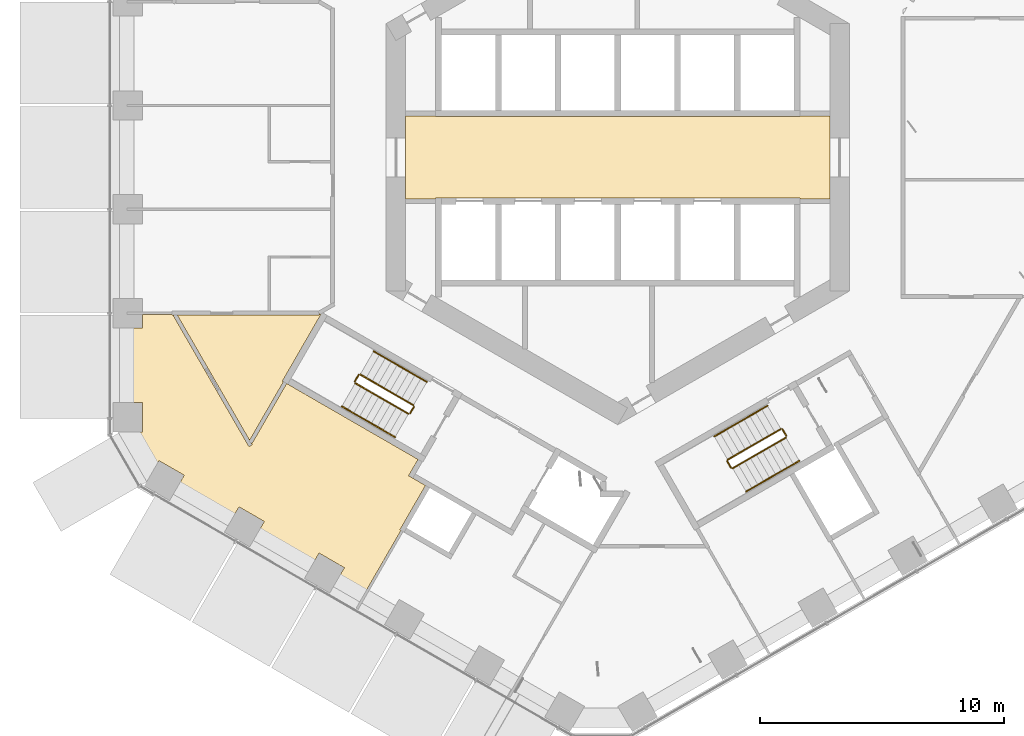
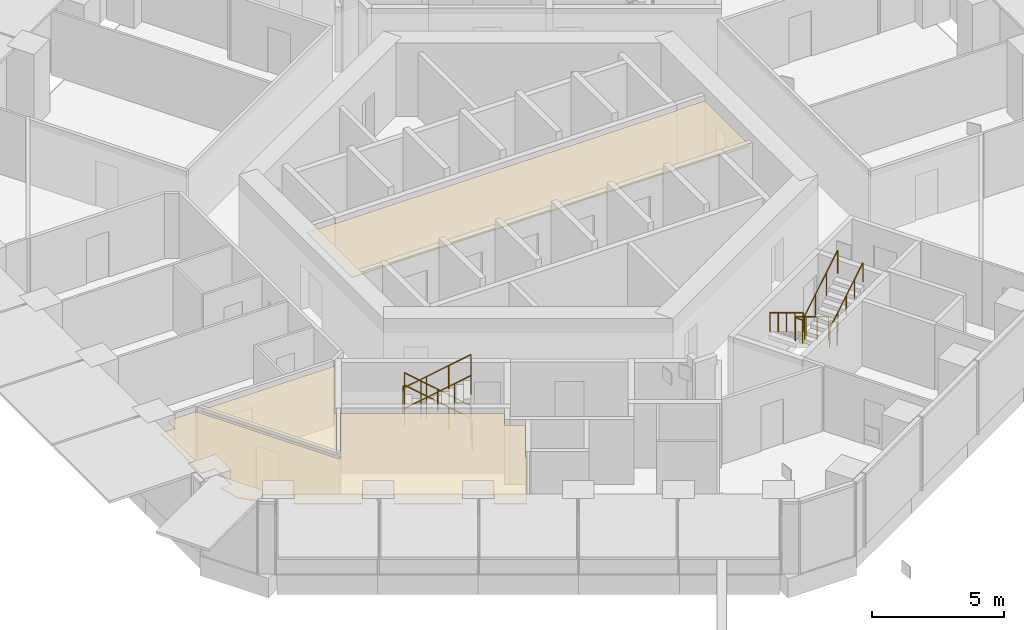
# One storey, part 20 of 22: 16 railings, 3 coverings.
"""IFC4 building model written with IfcOpenShell, lengths in metres."""

from ifc_helpers import new_model, si_unit, direction, frame, origin, origin_2d, place, context, subcontext, project, spatial, polyline, circle, outline, extrude, material, layer, layer_set, type_object, element, save


model = new_model("IFC4")

# Units and contexts
model_context = context("Model", 3, precision=1e-05, world=origin(), true_north=direction((0.0, 1.0)))
body_context = subcontext(model_context, "Body", "Model", "MODEL_VIEW")
ifc_project = project(units=[si_unit("LENGTHUNIT", "METRE"), si_unit("AREAUNIT", "SQUARE_METRE"), si_unit("VOLUMEUNIT", "CUBIC_METRE"), si_unit("PLANEANGLEUNIT", "RADIAN"), si_unit("MASSUNIT", "GRAM", prefix="KILO")], contexts=[model_context])

# Site, building, storey
site_placement = place(None, origin())
site = spatial("IfcSite", under=ifc_project, at=site_placement, CompositionType="ELEMENT")
building_placement = place(site_placement, origin())
building = spatial("IfcBuilding", under=site, at=building_placement, Name="Ayvan Gate Tower", CompositionType="ELEMENT")
storey_placement = place(building_placement, frame((0.0, 0.0, 62.89990234375)))
storey = spatial("IfcBuildingStorey", under=building, at=storey_placement, Name="L16", CompositionType="ELEMENT", Elevation=62.89990234375)

# Coverings
ifc_material_1 = material(Name="Plasterboard suspended ceiling")
ifc_layer = layer(ifc_material_1, 0.050048828125)
ifc_layer_set = layer_set([ifc_layer], Name="Plasterboard suspended ceiling")
covering_type = type_object("IfcCoveringType", Name="CT-SUSP-50", PredefinedType="CEILING", material=ifc_layer_set)
covering_1_placement = place(storey_placement, frame((0.0, 0.0, 2.7001953125)))
element("IfcCovering", 1, at=covering_1_placement, inside=storey, type_object=covering_type, Name="Ceiling Lift Lobby L16", PredefinedType="CEILING", context=body_context, shape_type="SweptSolid", body=[
    extrude(outline(polyline([(7.47509765625, -1.675048828125), (-7.47509765625, -1.675048828125), (-7.47509765625, -1.699951171875), (-8.699951171875, -1.699951171875), (-8.699951171875, 1.699951171875), (-7.47509765625, 1.699951171875), (-7.47509765625, 1.675048828125), (7.47509765625, 1.675048828125), (7.47509765625, 1.699951171875), (8.699951171875, 1.699951171875), (8.699951171875, -1.699951171875), (7.47509765625, -1.699951171875), (7.47509765625, -1.675048828125)])), origin(), (0.0, 0.0, 1.0), 0.0498046875),
])
covering_2_placement = place(storey_placement, frame((0.0, 0.0, 2.7001953125)))
element("IfcCovering", 2, at=covering_2_placement, inside=storey, type_object=covering_type, Name="Ceiling Ring Corridor L16", PredefinedType="CEILING", context=body_context, shape_type="SweptSolid", body=[
    extrude(outline(polyline([(-15.102783203125, -11.60888671875), (-18.07470703125, -6.4619140625), (-12.2587890625, -6.4619140625), (-12.2587890625, -6.386962890625), (-12.222412109375, -6.450439453125), (-12.162353515625, -6.415771484375), (-13.756103515625, -9.17626953125), (-13.712890625, -9.201416015625), (-15.102783203125, -11.60888671875)])), origin(), (0.0, 0.0, 1.0), 0.0498046875),
])
covering_3_placement = place(storey_placement, frame((0.0, 0.0, 2.7001953125)))
element("IfcCovering", 3, at=covering_3_placement, inside=storey, type_object=covering_type, Name="Ceiling Gym L16", PredefinedType="CEILING", context=body_context, shape_type="SweptSolid", body=[
    extrude(outline(polyline([(-19.502197265625, -11.261962890625), (-19.502197265625, -10.06201171875), (-20.1318359375, -10.06201171875), (-20.1318359375, -6.997314453125), (-19.502197265625, -6.997314453125), (-19.502197265625, -6.43701171875), (-18.279541015625, -6.43701171875), (-18.279541015625, -6.4619140625), (-18.184326171875, -6.4619140625), (-18.23193359375, -6.489501953125), (-15.13037109375, -11.861328125), (-15.00048828125, -11.786376953125), (-15.048095703125, -11.7041015625), (-15.00048828125, -11.7314453125), (-13.5830078125, -9.2763671875), (-13.556884765625, -9.291259765625), (-8.19189453125, -12.388916015625), (-8.579345703125, -13.06005859375), (-8.423583984375, -13.14990234375), (-7.88671875, -13.4599609375), (-8.9365234375, -15.278564453125), (-8.893310546875, -15.3037109375), (-10.435546875, -17.97509765625), (-11.5146484375, -17.35205078125), (-11.214599609375, -16.83251953125), (-12.25390625, -16.232421875), (-12.553955078125, -16.751953125), (-14.798583984375, -15.4560546875), (-14.49853515625, -14.936279296875), (-15.537841796875, -14.33642578125), (-15.837890625, -14.85595703125), (-16.62744140625, -14.400146484375), (-18.08251953125, -13.56005859375), (-17.782470703125, -13.040283203125), (-18.82177734375, -12.4404296875), (-19.0458984375, -12.828857421875), (-19.72998046875, -12.14501953125), (-19.96630859375, -11.261962890625), (-19.502197265625, -11.261962890625)])), origin(), (0.0, 0.0, 1.0), 0.0498046875),
])

# Railings
ifc_material_2 = material(Name="Stainless steel balustrade", Category="steel")
railing_type_1 = type_object("IfcRailingType", Name="RL-GUARD-1100", PredefinedType="GUARDRAIL", material=ifc_material_2)
railing_1_placement = place(storey_placement, frame((-8.381103515625, -10.16650390625, 0.170166015625)))
element("IfcRailing", 4, at=railing_1_placement, inside=storey, type_object=railing_type_1, Name="L16 STS2 stair guard 1", PredefinedType="GUARDRAIL", context=body_context, shape_type="SweptSolid", body=[
    extrude(circle(Radius=0.02392578125, at=origin_2d()), frame((0.0, 0.0, 1.076171875), z_axis=(-0.740261155115, 0.427395438142, 0.518986090067), x_axis=(-0.500004791531, -0.866022637375, 0.0)), (0.0, 0.0, 1.0), 2.947998046875),
    extrude(circle(Radius=0.02099609375, at=origin_2d()), origin(), (0.0, 0.0, 1.0), 1.052001953125),
    extrude(circle(Radius=0.02099609375, at=origin_2d()), frame((-0.7275390625, 0.419921875, 0.510009765625)), (0.0, 0.0, 1.0), 1.052001953125),
    extrude(circle(Radius=0.02099609375, at=origin_2d()), frame((-1.454833984375, 0.840087890625, 1.02001953125)), (0.0, 0.0, 1.0), 1.052001953125),
    extrude(circle(Radius=0.02099609375, at=origin_2d()), frame((-2.182373046875, 1.260009765625, 1.530029296875)), (0.0, 0.0, 1.0), 1.052001953125),
])
railing_2_placement = place(storey_placement, frame((-10.6318359375, -8.9248046875, 1.7001953125)))
element("IfcRailing", 5, at=railing_2_placement, inside=storey, type_object=railing_type_1, Name="L16 STS2 stair guard 2", PredefinedType="GUARDRAIL", context=body_context, shape_type="SweptSolid", body=[
    extrude(circle(Radius=0.02392578125, at=origin_2d()), frame((0.0, 0.0, 1.076171875), z_axis=(-0.499949632511, -0.866054481515, 0.0), x_axis=(0.866054481515, -0.499949632511, 0.0)), (0.0, 0.0, 1.0), 0.31005859375),
    extrude(circle(Radius=0.02099609375, at=origin_2d()), origin(), (0.0, 0.0, 1.0), 1.052001953125),
    extrude(circle(Radius=0.02099609375, at=origin_2d()), frame((-0.155029296875, -0.2685546875, 0.0)), (0.0, 0.0, 1.0), 1.052001953125),
])
railing_3_placement = place(storey_placement, frame((-10.7685546875, -9.261474609375, 1.8701171875)))
element("IfcRailing", 6, at=railing_3_placement, inside=storey, type_object=railing_type_1, Name="L16 STS2 stair guard 3", PredefinedType="GUARDRAIL", context=body_context, shape_type="SweptSolid", body=[
    extrude(circle(Radius=0.02392578125, at=origin_2d()), frame((0.0, 0.0, 1.076171875), z_axis=(0.740261155115, -0.427395438142, 0.518986090067), x_axis=(0.500004791531, 0.866022637375, 0.0)), (0.0, 0.0, 1.0), 2.947998046875),
    extrude(circle(Radius=0.02099609375, at=origin_2d()), origin(), (0.0, 0.0, 1.0), 1.052001953125),
    extrude(circle(Radius=0.02099609375, at=origin_2d()), frame((0.7275390625, -0.419921875, 0.510009765625)), (0.0, 0.0, 1.0), 1.052001953125),
    extrude(circle(Radius=0.02099609375, at=origin_2d()), frame((1.454833984375, -0.840087890625, 1.02001953125)), (0.0, 0.0, 1.0), 1.052001953125),
    extrude(circle(Radius=0.02099609375, at=origin_2d()), frame((2.182373046875, -1.260009765625, 1.530029296875)), (0.0, 0.0, 1.0), 1.052001953125),
])
railing_4_placement = place(storey_placement, frame((-8.36279296875, -10.23486328125, 0.0)))
element("IfcRailing", 7, at=railing_4_placement, inside=storey, type_object=railing_type_1, Name="L16 STS2 stair guard 4", PredefinedType="GUARDRAIL", context=body_context, shape_type="SweptSolid", body=[
    extrude(circle(Radius=0.02392578125, at=origin_2d()), frame((0.0, 0.0, 1.076171875), z_axis=(-0.500290723946, -0.86585748916, 0.0), x_axis=(0.86585748916, -0.500290723946, 0.0)), (0.0, 0.0, 1.0), 0.309814453125),
    extrude(circle(Radius=0.02099609375, at=origin_2d()), origin(), (0.0, 0.0, 1.0), 1.052001953125),
    extrude(circle(Radius=0.02099609375, at=origin_2d()), frame((-0.155029296875, -0.268310546875, 0.0)), (0.0, 0.0, 1.0), 1.052001953125),
])
railing_5_placement = place(storey_placement, frame((6.6923828125, -11.1416015625, 0.170166015625)))
element("IfcRailing", 8, at=railing_5_placement, inside=storey, type_object=railing_type_1, Name="L16 STS3 stair guard 1", PredefinedType="GUARDRAIL", context=body_context, shape_type="SweptSolid", body=[
    extrude(circle(Radius=0.02392578125, at=origin_2d()), frame((0.0, 0.0, 1.076171875), z_axis=(-0.740261155115, -0.427395438142, 0.518986090067), x_axis=(0.500004791531, -0.866022637375, 0.0)), (0.0, 0.0, 1.0), 2.947998046875),
    extrude(circle(Radius=0.02099609375, at=origin_2d()), origin(), (0.0, 0.0, 1.0), 1.052001953125),
    extrude(circle(Radius=0.02099609375, at=origin_2d()), frame((-0.7275390625, -0.419921875, 0.510009765625)), (0.0, 0.0, 1.0), 1.052001953125),
    extrude(circle(Radius=0.02099609375, at=origin_2d()), frame((-1.454833984375, -0.840087890625, 1.02001953125)), (0.0, 0.0, 1.0), 1.052001953125),
    extrude(circle(Radius=0.02099609375, at=origin_2d()), frame((-2.182373046875, -1.260009765625, 1.530029296875)), (0.0, 0.0, 1.0), 1.052001953125),
])
railing_6_placement = place(storey_placement, frame((4.49169921875, -12.4697265625, 1.7001953125)))
element("IfcRailing", 9, at=railing_6_placement, inside=storey, type_object=railing_type_1, Name="L16 STS3 stair guard 2", PredefinedType="GUARDRAIL", context=body_context, shape_type="SweptSolid", body=[
    extrude(circle(Radius=0.02392578125, at=origin_2d()), frame((0.0, 0.0, 1.076171875), z_axis=(0.499949632511, -0.866054481515, 0.0), x_axis=(0.866054481515, 0.499949632511, 0.0)), (0.0, 0.0, 1.0), 0.31005859375),
    extrude(circle(Radius=0.02099609375, at=origin_2d()), origin(), (0.0, 0.0, 1.0), 1.052001953125),
    extrude(circle(Radius=0.02099609375, at=origin_2d()), frame((0.155029296875, -0.2685546875, 0.0)), (0.0, 0.0, 1.0), 1.052001953125),
])
railing_7_placement = place(storey_placement, frame((4.715087890625, -12.756591796875, 1.8701171875)))
element("IfcRailing", 10, at=railing_7_placement, inside=storey, type_object=railing_type_1, Name="L16 STS3 stair guard 3", PredefinedType="GUARDRAIL", context=body_context, shape_type="SweptSolid", body=[
    extrude(circle(Radius=0.02392578125, at=origin_2d()), frame((0.0, 0.0, 1.076171875), z_axis=(0.740261155115, 0.427395438142, 0.518986090067), x_axis=(-0.500004791531, 0.866022637375, 0.0)), (0.0, 0.0, 1.0), 2.947998046875),
    extrude(circle(Radius=0.02099609375, at=origin_2d()), origin(), (0.0, 0.0, 1.0), 1.052001953125),
    extrude(circle(Radius=0.02099609375, at=origin_2d()), frame((0.7275390625, 0.419921875, 0.510009765625)), (0.0, 0.0, 1.0), 1.052001953125),
    extrude(circle(Radius=0.02099609375, at=origin_2d()), frame((1.454833984375, 0.840087890625, 1.02001953125)), (0.0, 0.0, 1.0), 1.052001953125),
    extrude(circle(Radius=0.02099609375, at=origin_2d()), frame((2.182373046875, 1.260009765625, 1.530029296875)), (0.0, 0.0, 1.0), 1.052001953125),
])
railing_8_placement = place(storey_placement, frame((6.7607421875, -11.159912109375, 0.0)))
element("IfcRailing", 11, at=railing_8_placement, inside=storey, type_object=railing_type_1, Name="L16 STS3 stair guard 4", PredefinedType="GUARDRAIL", context=body_context, shape_type="SweptSolid", body=[
    extrude(circle(Radius=0.02392578125, at=origin_2d()), frame((0.0, 0.0, 1.076171875), z_axis=(0.500290723946, -0.86585748916, 0.0), x_axis=(0.86585748916, 0.500290723946, 0.0)), (0.0, 0.0, 1.0), 0.309814453125),
    extrude(circle(Radius=0.02099609375, at=origin_2d()), origin(), (0.0, 0.0, 1.0), 1.052001953125),
    extrude(circle(Radius=0.02099609375, at=origin_2d()), frame((0.155029296875, -0.268310546875, 0.0)), (0.0, 0.0, 1.0), 1.052001953125),
])
railing_type_2 = type_object("IfcRailingType", Name="RL-HANDRAIL-900", PredefinedType="HANDRAIL", material=ifc_material_2)
railing_9_placement = place(storey_placement, frame((-7.8310546875, -9.2138671875, 0.170166015625)))
element("IfcRailing", 12, at=railing_9_placement, inside=storey, type_object=railing_type_2, Name="L16 STS2 stair handrail 1", PredefinedType="HANDRAIL", context=body_context, shape_type="SweptSolid", body=[
    extrude(circle(Radius=0.02392578125, at=origin_2d()), frame((0.0, 0.0, 0.8759765625), z_axis=(-0.740356597536, 0.427319915356, 0.518912129772), x_axis=(-0.499890179513, -0.866088799389, 0.0)), (0.0, 0.0, 1.0), 1.47412109375),
    extrude(circle(Radius=0.02099609375, at=origin_2d()), origin(), (0.0, 0.0, 1.0), 0.851806640625),
    extrude(circle(Radius=0.02099609375, at=origin_2d()), frame((-0.545654296875, 0.31494140625, 0.38232421875)), (0.0, 0.0, 1.0), 0.851806640625),
    extrude(circle(Radius=0.02099609375, at=origin_2d()), frame((-1.09130859375, 0.6298828125, 0.764892578125)), (0.0, 0.0, 1.0), 0.851806640625),
])
railing_10_placement = place(storey_placement, frame((-8.92236328125, -8.583984375, 0.93505859375)))
element("IfcRailing", 13, at=railing_10_placement, inside=storey, type_object=railing_type_2, Name="L16 STS2 stair handrail 2", PredefinedType="HANDRAIL", context=body_context, shape_type="SweptSolid", body=[
    extrude(circle(Radius=0.02392578125, at=origin_2d()), frame((0.0, 0.0, 0.8759765625), z_axis=(-0.740165700939, 0.427470949681, 0.519060037311), x_axis=(-0.50011940292, -0.865956455501, 0.0)), (0.0, 0.0, 1.0), 1.47412109375),
    extrude(circle(Radius=0.02099609375, at=origin_2d()), origin(), (0.0, 0.0, 1.0), 0.851806640625),
    extrude(circle(Radius=0.02099609375, at=origin_2d()), frame((-0.54541015625, 0.31494140625, 0.382568359375)), (0.0, 0.0, 1.0), 0.851806640625),
    extrude(circle(Radius=0.02099609375, at=origin_2d()), frame((-1.091064453125, 0.630126953125, 0.76513671875)), (0.0, 0.0, 1.0), 0.851806640625),
])
railing_11_placement = place(storey_placement, frame((-11.318603515625, -10.214111328125, 1.8701171875)))
element("IfcRailing", 14, at=railing_11_placement, inside=storey, type_object=railing_type_2, Name="L16 STS2 stair handrail 3", PredefinedType="HANDRAIL", context=body_context, shape_type="SweptSolid", body=[
    extrude(circle(Radius=0.02392578125, at=origin_2d()), frame((0.0, 0.0, 0.8759765625), z_axis=(0.740304193401, -0.427455284825, 0.518875399983), x_axis=(0.500035496587, 0.86600490885, 0.0)), (0.0, 0.0, 1.0), 1.47412109375),
    extrude(circle(Radius=0.02099609375, at=origin_2d()), origin(), (0.0, 0.0, 1.0), 0.851806640625),
    extrude(circle(Radius=0.02099609375, at=origin_2d()), frame((0.545654296875, -0.31494140625, 0.38232421875)), (0.0, 0.0, 1.0), 0.851806640625),
    extrude(circle(Radius=0.02099609375, at=origin_2d()), frame((1.09130859375, -0.630126953125, 0.764892578125)), (0.0, 0.0, 1.0), 0.851806640625),
])
railing_12_placement = place(storey_placement, frame((-10.227294921875, -10.84423828125, 2.635009765625)))
element("IfcRailing", 15, at=railing_12_placement, inside=storey, type_object=railing_type_2, Name="L16 STS2 stair handrail 4", PredefinedType="HANDRAIL", context=body_context, shape_type="SweptSolid", body=[
    extrude(circle(Radius=0.02392578125, at=origin_2d()), frame((0.0, 0.0, 0.8759765625), z_axis=(0.740292964666, -0.42728318766, 0.519033143459), x_axis=(0.499890179513, 0.866088799389, 0.0)), (0.0, 0.0, 1.0), 1.47412109375),
    extrude(circle(Radius=0.02099609375, at=origin_2d()), origin(), (0.0, 0.0, 1.0), 0.851806640625),
    extrude(circle(Radius=0.02099609375, at=origin_2d()), frame((0.545654296875, -0.31494140625, 0.382568359375)), (0.0, 0.0, 1.0), 0.851806640625),
    extrude(circle(Radius=0.02099609375, at=origin_2d()), frame((1.09130859375, -0.6298828125, 0.76513671875)), (0.0, 0.0, 1.0), 0.851806640625),
])
railing_13_placement = place(storey_placement, frame((6.142333984375, -10.18896484375, 0.170166015625)))
element("IfcRailing", 16, at=railing_13_placement, inside=storey, type_object=railing_type_2, Name="L16 STS3 stair handrail 1", PredefinedType="HANDRAIL", context=body_context, shape_type="SweptSolid", body=[
    extrude(circle(Radius=0.02392578125, at=origin_2d()), frame((0.0, 0.0, 0.8759765625), z_axis=(-0.740281741151, -0.427372318678, 0.518975765278), x_axis=(0.499974077718, -0.866040369504, 0.0)), (0.0, 0.0, 1.0), 1.473876953125),
    extrude(circle(Radius=0.02099609375, at=origin_2d()), origin(), (0.0, 0.0, 1.0), 0.851806640625),
    extrude(circle(Radius=0.02099609375, at=origin_2d()), frame((-0.54541015625, -0.31494140625, 0.38232421875)), (0.0, 0.0, 1.0), 0.851806640625),
    extrude(circle(Radius=0.02099609375, at=origin_2d()), frame((-1.091064453125, -0.6298828125, 0.764892578125)), (0.0, 0.0, 1.0), 0.851806640625),
])
railing_14_placement = place(storey_placement, frame((5.05126953125, -10.81884765625, 0.93505859375)))
element("IfcRailing", 17, at=railing_14_placement, inside=storey, type_object=railing_type_2, Name="L16 STS3 stair handrail 2", PredefinedType="HANDRAIL", context=body_context, shape_type="SweptSolid", body=[
    extrude(circle(Radius=0.02392578125, at=origin_2d()), frame((0.0, 0.0, 0.8759765625), z_axis=(-0.740240574041, -0.427418550694, 0.518996411419), x_axis=(0.500035496587, -0.86600490885, 0.0)), (0.0, 0.0, 1.0), 1.474365234375),
    extrude(circle(Radius=0.02099609375, at=origin_2d()), origin(), (0.0, 0.0, 1.0), 0.851806640625),
    extrude(circle(Radius=0.02099609375, at=origin_2d()), frame((-0.545654296875, -0.31494140625, 0.382568359375)), (0.0, 0.0, 1.0), 0.851806640625),
    extrude(circle(Radius=0.02099609375, at=origin_2d()), frame((-1.09130859375, -0.630126953125, 0.76513671875)), (0.0, 0.0, 1.0), 0.851806640625),
])
railing_15_placement = place(storey_placement, frame((5.264892578125, -13.709228515625, 1.8701171875)))
element("IfcRailing", 18, at=railing_15_placement, inside=storey, type_object=railing_type_2, Name="L16 STS3 stair handrail 3", PredefinedType="HANDRAIL", context=body_context, shape_type="SweptSolid", body=[
    extrude(circle(Radius=0.02392578125, at=origin_2d()), frame((0.0, 0.0, 0.8759765625), z_axis=(0.740304193401, 0.427455284825, 0.518875399983), x_axis=(-0.500035496587, 0.86600490885, 0.0)), (0.0, 0.0, 1.0), 1.47412109375),
    extrude(circle(Radius=0.02099609375, at=origin_2d()), origin(), (0.0, 0.0, 1.0), 0.851806640625),
    extrude(circle(Radius=0.02099609375, at=origin_2d()), frame((0.545654296875, 0.31494140625, 0.38232421875)), (0.0, 0.0, 1.0), 0.851806640625),
    extrude(circle(Radius=0.02099609375, at=origin_2d()), frame((1.09130859375, 0.630126953125, 0.764892578125)), (0.0, 0.0, 1.0), 0.851806640625),
])
railing_16_placement = place(storey_placement, frame((6.356201171875, -13.0791015625, 2.635009765625)))
element("IfcRailing", 19, at=railing_16_placement, inside=storey, type_object=railing_type_2, Name="L16 STS3 stair handrail 4", PredefinedType="HANDRAIL", context=body_context, shape_type="SweptSolid", body=[
    extrude(circle(Radius=0.02392578125, at=origin_2d()), frame((0.0, 0.0, 0.8759765625), z_axis=(0.740218099111, 0.427335577468, 0.519096782863), x_axis=(-0.499974077718, 0.866040369504, 0.0)), (0.0, 0.0, 1.0), 1.473876953125),
    extrude(circle(Radius=0.02099609375, at=origin_2d()), origin(), (0.0, 0.0, 1.0), 0.851806640625),
    extrude(circle(Radius=0.02099609375, at=origin_2d()), frame((0.54541015625, 0.31494140625, 0.382568359375)), (0.0, 0.0, 1.0), 0.851806640625),
    extrude(circle(Radius=0.02099609375, at=origin_2d()), frame((1.091064453125, 0.6298828125, 0.76513671875)), (0.0, 0.0, 1.0), 0.851806640625),
])

save(model, "model.ifc")
